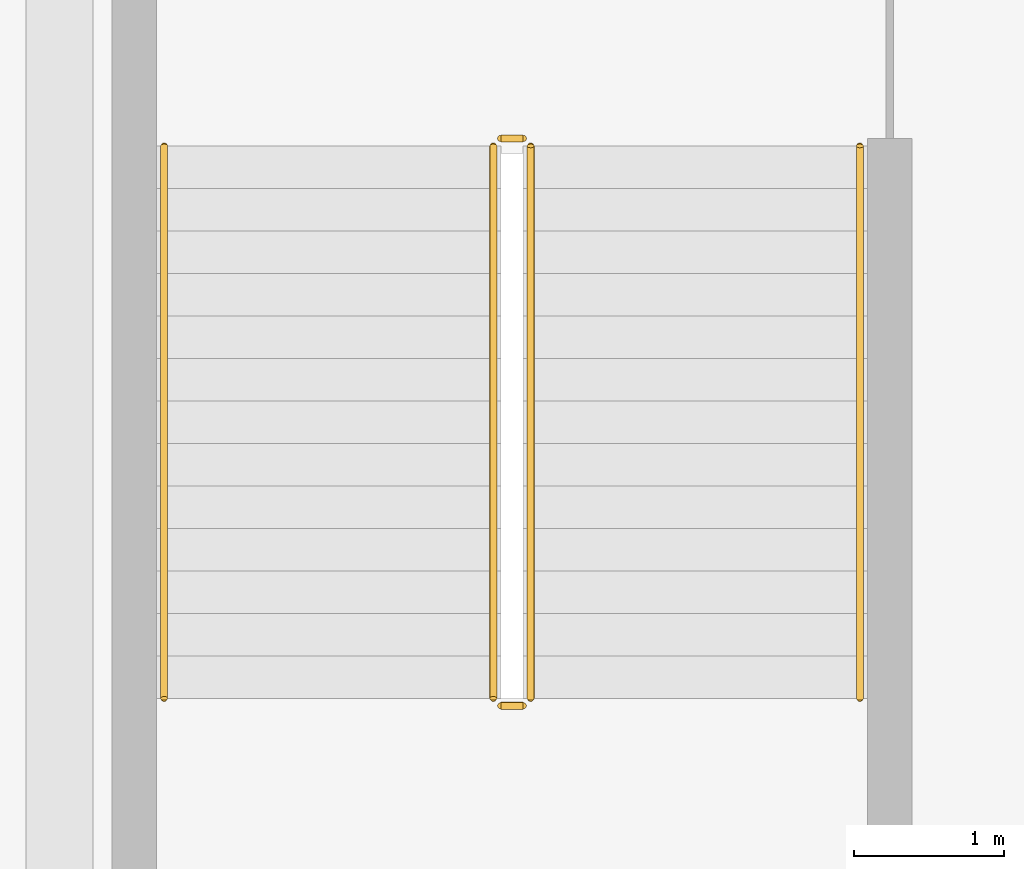
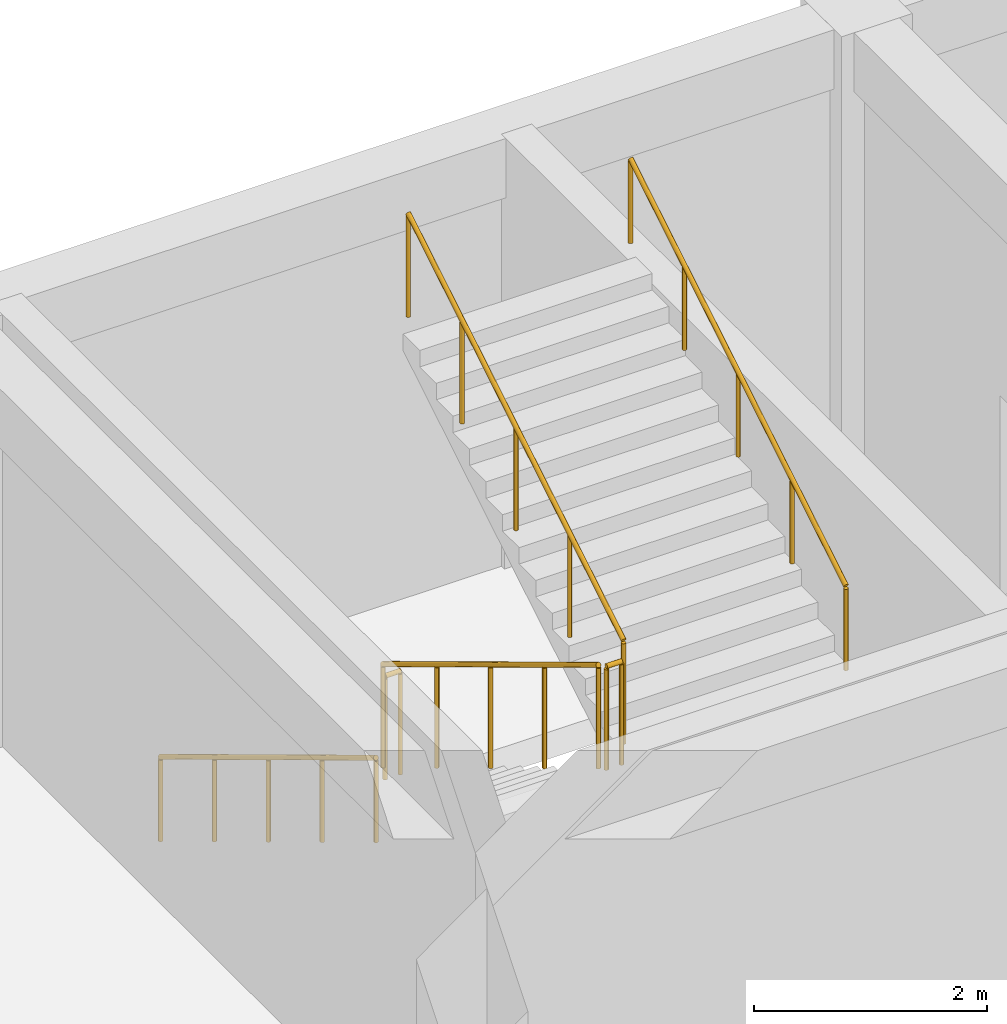
# One storey, part 41 of 42: 6 railings.
"""IFC4 building model written with IfcOpenShell, lengths in metres."""

import ifcopenshell
import ifcopenshell.guid

model = None  # the IFC model being written
_history = None  # IfcOwnerHistory: only IFC2X3 demands one
_inside = {}  # id of a spatial element -> (the spatial element, [elements in it])
_under = {}  # id of a project, library or spatial element -> (it, [spatial elements below it])
_declared = {}  # id of a project -> (the project, [libraries it declares])
_typed = {}  # id of a type object -> (the type object, [elements of that type])
_made_of = {}  # id of a material, layer set ... -> (it, [elements and type objects made of it])


def new_model(schema):
    """Start an empty IFC model of exactly this schema.

    Asked for "IFC4X3", IfcOpenShell would pick the latest addendum, in which some entities
    have other attributes; the version numbers below select the first issue.
    IFC2X3 requires an IfcOwnerHistory on every rooted entity: one is made here for all.
    """
    global model, _history
    if schema == "IFC4X3":
        model = ifcopenshell.file(schema_version=(4, 3, 0, 0))
    else:
        model = ifcopenshell.file(schema=schema)
    _inside.clear()
    _under.clear()
    _declared.clear()
    _typed.clear()
    _made_of.clear()
    _history = None
    if model.schema == "IFC2X3":
        org = make("IfcOrganization", Name="unknown")
        user = make(
            "IfcPersonAndOrganization",
            ThePerson=make("IfcPerson", FamilyName="unknown"),
            TheOrganization=org,
        )
        app = make(
            "IfcApplication",
            ApplicationDeveloper=org,
            Version="unknown",
            ApplicationFullName="unknown",
            ApplicationIdentifier="unknown",
        )
        _history = make(
            "IfcOwnerHistory",
            OwningUser=user,
            OwningApplication=app,
            ChangeAction="ADDED",
            CreationDate=0,
        )
    return model


def make(cls, **values):
    """One entity of the class cls with the attributes given. An attribute that is None is left unset."""
    return model.create_entity(
        cls, **{name: value for name, value in values.items() if value is not None}
    )


def rooted(cls, **values):
    """An entity with a GlobalId (a new one), such as an element, a storey or a relation."""
    return make(cls, GlobalId=ifcopenshell.guid.new(), OwnerHistory=_history, **values)


def si_unit(unit_type, name, prefix=None):
    """IfcSIUnit, for example si_unit("LENGTHUNIT", "METRE", prefix="MILLI")."""
    return make("IfcSIUnit", UnitType=unit_type, Prefix=prefix, Name=name)


def assignment(units):
    """IfcUnitAssignment: the units of a project."""
    return None if units is None else make("IfcUnitAssignment", Units=units)


def point(xyz):
    """IfcCartesianPoint."""
    return None if xyz is None else make("IfcCartesianPoint", Coordinates=xyz)


def direction(xyz):
    """IfcDirection."""
    return None if xyz is None else make("IfcDirection", DirectionRatios=xyz)


def frame(location, z_axis=None, x_axis=None):
    """IfcAxis2Placement3D, a coordinate frame: its origin and axes. An axis left out is left unset."""
    return make(
        "IfcAxis2Placement3D",
        Location=point(location),
        Axis=direction(z_axis),
        RefDirection=direction(x_axis),
    )


def frame_2d(location, x_axis=None):
    """IfcAxis2Placement2D, a coordinate frame in the plane: its origin and x axis."""
    return make(
        "IfcAxis2Placement2D", Location=point(location), RefDirection=direction(x_axis)
    )


def origin():
    """The frame at (0, 0, 0) with its axes left unset."""
    return frame((0.0, 0.0, 0.0))


def origin_2d():
    """The frame at (0, 0) in the plane with its x axis left unset."""
    return frame_2d((0.0, 0.0))


def place(relative_to, where):
    """IfcLocalPlacement: puts the frame where relative to a parent placement (None: the world)."""
    return make(
        "IfcLocalPlacement", PlacementRelTo=relative_to, RelativePlacement=where
    )


def context(
    kind, dimensions, precision=None, world=None, true_north=None, identifier=None
):
    """IfcGeometricRepresentationContext, for example the 3D "Model" context."""
    return make(
        "IfcGeometricRepresentationContext",
        ContextIdentifier=identifier,
        ContextType=kind,
        CoordinateSpaceDimension=dimensions,
        Precision=precision,
        WorldCoordinateSystem=world,
        TrueNorth=true_north,
    )


def subcontext(parent, identifier, kind, view, scale=None):
    """IfcGeometricRepresentationSubContext, for example "Body" below "Model"."""
    return make(
        "IfcGeometricRepresentationSubContext",
        ContextIdentifier=identifier,
        ContextType=kind,
        ParentContext=parent,
        TargetScale=scale,
        TargetView=view,
    )


def project(units=None, contexts=None):
    """IfcProject with its units and contexts."""
    return rooted(
        "IfcProject",
        Name="project",
        RepresentationContexts=contexts,
        UnitsInContext=assignment(units),
    )


def spatial(cls, under=None, at=None, **own):
    """A site, building, storey or space (cls), placed at a placement, below another one or the project."""
    s = rooted(cls, ObjectPlacement=at, **own)
    if under is not None:
        _under.setdefault(under.id(), (under, []))[1].append(s)
    return s


def profile(cls, at=None, kind="AREA", **sizes):
    """A parametric profile (cls). Its sizes go by their IFC names, for example OverallWidth=200.0."""
    return make(cls, ProfileType=kind, Position=at, **sizes)


def circle(**sizes):
    """IfcCircleProfileDef."""
    return profile("IfcCircleProfileDef", **sizes)


def extrude(swept, where, along, depth):
    """IfcExtrudedAreaSolid: the profile swept, set in the frame where, extruded along a direction by depth."""
    return make(
        "IfcExtrudedAreaSolid",
        SweptArea=swept,
        Position=where,
        ExtrudedDirection=direction(along),
        Depth=depth,
    )


def shape(context_of_items, identifier, shape_type, items):
    """IfcShapeRepresentation: the items that make up one representation, for example the "Body"."""
    return make(
        "IfcShapeRepresentation",
        ContextOfItems=context_of_items,
        RepresentationIdentifier=identifier,
        RepresentationType=shape_type,
        Items=items,
    )


def material(Name=None, Category=None):
    """IfcMaterial."""
    return make("IfcMaterial", Name=Name, Category=Category)


def made_of(thing, what):
    """Note that an element or type object is made of a material, layer set ...; save() writes the relation."""
    if what is not None:
        _made_of.setdefault(what.id(), (what, []))[1].append(thing)
    return thing


def type_object(cls, material=None, **own):
    """A type object (cls), such as IfcWallType, which elements share."""
    return made_of(rooted(cls, **own), material)


def element(
    cls,
    number,
    at=None,
    inside=None,
    cuts=None,
    type_object=None,
    material=None,
    context=None,
    identifier="Body",
    shape_type=None,
    held_by="IfcProductDefinitionShape",
    body=None,
    shapes=None,
    **own,
):
    """One element of the class cls, such as IfcWall. Its Tag is "e" and its number.

    at: its placement. inside: the storey or other place that contains it. cuts: it is an
    opening in that element (IfcRelVoidsElement). A single representation is given by context,
    identifier, shape_type and body (its items); several are given by shapes. held_by: the class
    of the entity that holds the representations. save() writes the other relations.
    """
    e = rooted(cls, Tag="e%d" % number, ObjectPlacement=at, **own)
    if body is not None:
        shapes = [shape(context, identifier, shape_type, body)]
    if shapes is not None:
        e.Representation = make(held_by, Representations=shapes)
    if inside is not None:
        _inside.setdefault(inside.id(), (inside, []))[1].append(e)
    if cuts is not None:
        rooted(
            "IfcRelVoidsElement", RelatingBuildingElement=cuts, RelatedOpeningElement=e
        )
    if type_object is not None:
        _typed.setdefault(type_object.id(), (type_object, []))[1].append(e)
    return made_of(e, material)


def aggregate(whole, parts):
    """IfcRelAggregates: a whole, such as a stair, and the parts it consists of."""
    return rooted("IfcRelAggregates", RelatingObject=whole, RelatedObjects=parts)


def save(model, path):
    """Write the relations noted so far, then the file.

    IfcRelAggregates (storeys below a building ...), IfcRelContainedInSpatialStructure (elements
    in a storey), IfcRelDefinesByType, IfcRelAssociatesMaterial and IfcRelDeclares: one each for
    every whole, place, type object, material and project.
    """
    for whole, parts in _under.values():
        aggregate(whole, parts)
    for where, things in _inside.values():
        rooted(
            "IfcRelContainedInSpatialStructure",
            RelatedElements=things,
            RelatingStructure=where,
        )
    for kind, things in _typed.values():
        rooted("IfcRelDefinesByType", RelatedObjects=things, RelatingType=kind)
    for what, things in _made_of.values():
        rooted("IfcRelAssociatesMaterial", RelatedObjects=things, RelatingMaterial=what)
    for by, libraries in _declared.values():
        rooted("IfcRelDeclares", RelatingContext=by, RelatedDefinitions=libraries)
    model.write(path)


model = new_model("IFC4")

# Units and contexts
model_context = context("Model", 3, precision=1e-05, world=origin(), true_north=direction((0.0, 1.0)))
body_context = subcontext(model_context, "Body", "Model", "MODEL_VIEW")
ifc_project = project(units=[si_unit("LENGTHUNIT", "METRE"), si_unit("AREAUNIT", "SQUARE_METRE"), si_unit("VOLUMEUNIT", "CUBIC_METRE"), si_unit("PLANEANGLEUNIT", "RADIAN"), si_unit("MASSUNIT", "GRAM", prefix="KILO")], contexts=[model_context])

# Site, building, storey
site_placement = place(None, origin())
site = spatial("IfcSite", under=ifc_project, at=site_placement, CompositionType="ELEMENT")
building_placement = place(site_placement, origin())
building = spatial("IfcBuilding", under=site, at=building_placement, Name="Dhurran Vertical Campus", CompositionType="ELEMENT")
storey_placement = place(building_placement, frame((0.0, 0.0, 6.0)))
storey = spatial("IfcBuildingStorey", under=building, at=storey_placement, Name="L01", CompositionType="ELEMENT", Elevation=6.0)

# Railings
ifc_material_1 = material(Name="Steel S355J2H", Category="steel")
railing_type_1 = type_object("IfcRailingType", Name="hl-stair guard 1100", PredefinedType="GUARDRAIL", material=ifc_material_1)
railing_1_placement = place(storey_placement, frame((73.39990234375, 24.550048828125, 0.17138671875)))
element("IfcRailing", 1, at=railing_1_placement, inside=storey, type_object=railing_type_1, Name="L01 HST3 stair guard 1", PredefinedType="GUARDRAIL", context=body_context, shape_type="SweptSolid", body=[
    extrude(circle(Radius=0.02392578125, at=origin_2d()), frame((0.0, 0.0, 1.076171875), z_axis=(0.0, -0.85613627591, 0.516750110858), x_axis=(1.0, 0.0, 0.0)), (0.0, 0.0, 1.0), 4.3125),
    extrude(circle(Radius=0.02099609375, at=origin_2d()), origin(), (0.0, 0.0, 1.0), 1.052001953125),
    extrude(circle(Radius=0.02099609375, at=origin_2d()), frame((0.0, -0.923095703125, 0.55712890625)), (0.0, 0.0, 1.0), 1.052001953125),
    extrude(circle(Radius=0.02099609375, at=origin_2d()), frame((0.0, -1.84619140625, 1.1142578125)), (0.0, 0.0, 1.0), 1.052001953125),
    extrude(circle(Radius=0.02099609375, at=origin_2d()), frame((0.0, -2.76904296875, 1.67138671875)), (0.0, 0.0, 1.0), 1.052001953125),
    extrude(circle(Radius=0.02099609375, at=origin_2d()), frame((0.0, -3.692138671875, 2.228515625)), (0.0, 0.0, 1.0), 1.052001953125),
])
railing_2_placement = place(storey_placement, frame((73.449951171875, 20.80810546875, 2.39990234375)))
element("IfcRailing", 2, at=railing_2_placement, inside=storey, type_object=railing_type_1, Name="L01 HST3 stair guard 2", PredefinedType="GUARDRAIL", context=body_context, shape_type="SweptSolid", body=[
    extrude(circle(Radius=0.02392578125, at=origin_2d()), frame((0.0, 0.0, 1.076171875), z_axis=(1.0, 0.0, 0.0), x_axis=(0.0, 1.0, 0.0)), (0.0, 0.0, 1.0), 0.150146484375),
    extrude(circle(Radius=0.02099609375, at=origin_2d()), origin(), (0.0, 0.0, 1.0), 1.052001953125),
    extrude(circle(Radius=0.02099609375, at=origin_2d()), frame((0.150146484375, 0.0, 0.0)), (0.0, 0.0, 1.0), 1.052001953125),
])
railing_3_placement = place(storey_placement, frame((73.64990234375, 20.85791015625, 2.571533203125)))
element("IfcRailing", 3, at=railing_3_placement, inside=storey, type_object=railing_type_1, Name="L01 HST3 stair guard 3", PredefinedType="GUARDRAIL", context=body_context, shape_type="SweptSolid", body=[
    extrude(circle(Radius=0.02392578125, at=origin_2d()), frame((0.0, 0.0, 1.076171875), z_axis=(0.0, 0.85613627591, 0.516750110858), x_axis=(-1.0, 0.0, 0.0)), (0.0, 0.0, 1.0), 4.3125),
    extrude(circle(Radius=0.02099609375, at=origin_2d()), origin(), (0.0, 0.0, 1.0), 1.052001953125),
    extrude(circle(Radius=0.02099609375, at=origin_2d()), frame((0.0, 0.923095703125, 0.55712890625)), (0.0, 0.0, 1.0), 1.052001953125),
    extrude(circle(Radius=0.02099609375, at=origin_2d()), frame((0.0, 1.84619140625, 1.1142578125)), (0.0, 0.0, 1.0), 1.052001953125),
    extrude(circle(Radius=0.02099609375, at=origin_2d()), frame((0.0, 2.76904296875, 1.67138671875)), (0.0, 0.0, 1.0), 1.052001953125),
    extrude(circle(Radius=0.02099609375, at=origin_2d()), frame((0.0, 3.692138671875, 2.228515625)), (0.0, 0.0, 1.0), 1.052001953125),
])
railing_4_placement = place(storey_placement, frame((73.449951171875, 24.60009765625, 0.0)))
element("IfcRailing", 4, at=railing_4_placement, inside=storey, type_object=railing_type_1, Name="L01 HST3 stair guard 4", PredefinedType="GUARDRAIL", context=body_context, shape_type="SweptSolid", body=[
    extrude(circle(Radius=0.02392578125, at=origin_2d()), frame((0.0, 0.0, 1.076171875), z_axis=(1.0, 0.0, 0.0), x_axis=(0.0, 1.0, 0.0)), (0.0, 0.0, 1.0), 0.150146484375),
    extrude(circle(Radius=0.02099609375, at=origin_2d()), origin(), (0.0, 0.0, 1.0), 1.052001953125),
    extrude(circle(Radius=0.02099609375, at=origin_2d()), frame((0.150146484375, 0.0, 0.0)), (0.0, 0.0, 1.0), 1.052001953125),
])
ifc_material_2 = material(Name="Steel S355J2H", Category="steel")
railing_type_2 = type_object("IfcRailingType", Name="hl-stair handrail", PredefinedType="HANDRAIL", material=ifc_material_2)
railing_5_placement = place(storey_placement, frame((71.199951171875, 24.550048828125, 0.17138671875)))
element("IfcRailing", 5, at=railing_5_placement, inside=storey, type_object=railing_type_2, Name="L01 HST3 stair handrail 1", PredefinedType="HANDRAIL", context=body_context, shape_type="SweptSolid", body=[
    extrude(circle(Radius=0.02392578125, at=origin_2d()), frame((0.0, 0.0, 0.8759765625), z_axis=(0.0, -0.85613627591, 0.516750110858), x_axis=(1.0, 0.0, 0.0)), (0.0, 0.0, 1.0), 4.3125),
    extrude(circle(Radius=0.02099609375, at=origin_2d()), origin(), (0.0, 0.0, 1.0), 0.851806640625),
    extrude(circle(Radius=0.02099609375, at=origin_2d()), frame((0.0, -0.923095703125, 0.55712890625)), (0.0, 0.0, 1.0), 0.851806640625),
    extrude(circle(Radius=0.02099609375, at=origin_2d()), frame((0.0, -1.84619140625, 1.1142578125)), (0.0, 0.0, 1.0), 0.851806640625),
    extrude(circle(Radius=0.02099609375, at=origin_2d()), frame((0.0, -2.76904296875, 1.67138671875)), (0.0, 0.0, 1.0), 0.851806640625),
    extrude(circle(Radius=0.02099609375, at=origin_2d()), frame((0.0, -3.692138671875, 2.228515625)), (0.0, 0.0, 1.0), 0.851806640625),
])
railing_6_placement = place(storey_placement, frame((75.85009765625, 20.85791015625, 2.571533203125)))
element("IfcRailing", 6, at=railing_6_placement, inside=storey, type_object=railing_type_2, Name="L01 HST3 stair handrail 2", PredefinedType="HANDRAIL", context=body_context, shape_type="SweptSolid", body=[
    extrude(circle(Radius=0.02392578125, at=origin_2d()), frame((0.0, 0.0, 0.8759765625), z_axis=(0.0, 0.85613627591, 0.516750110858), x_axis=(-1.0, 0.0, 0.0)), (0.0, 0.0, 1.0), 4.3125),
    extrude(circle(Radius=0.02099609375, at=origin_2d()), origin(), (0.0, 0.0, 1.0), 0.851806640625),
    extrude(circle(Radius=0.02099609375, at=origin_2d()), frame((0.0, 0.923095703125, 0.55712890625)), (0.0, 0.0, 1.0), 0.851806640625),
    extrude(circle(Radius=0.02099609375, at=origin_2d()), frame((0.0, 1.84619140625, 1.1142578125)), (0.0, 0.0, 1.0), 0.851806640625),
    extrude(circle(Radius=0.02099609375, at=origin_2d()), frame((0.0, 2.76904296875, 1.67138671875)), (0.0, 0.0, 1.0), 0.851806640625),
    extrude(circle(Radius=0.02099609375, at=origin_2d()), frame((0.0, 3.692138671875, 2.228515625)), (0.0, 0.0, 1.0), 0.851806640625),
])

save(model, "model.ifc")
